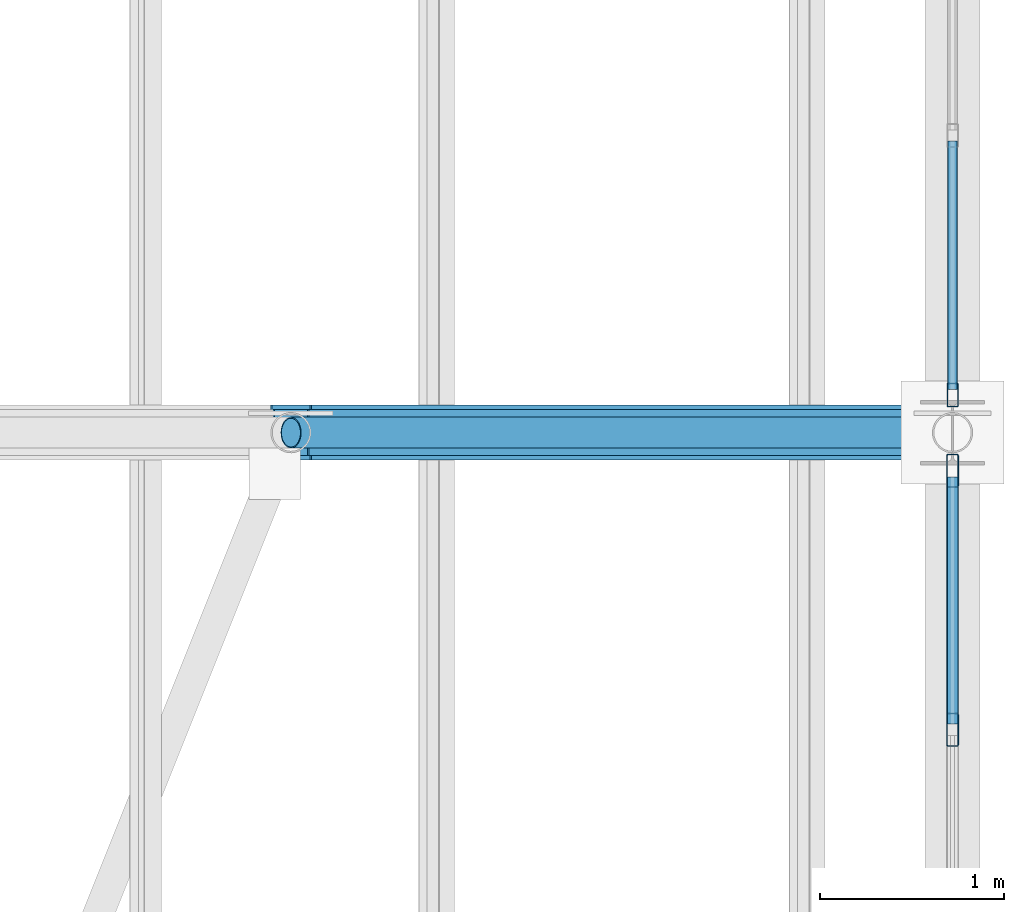
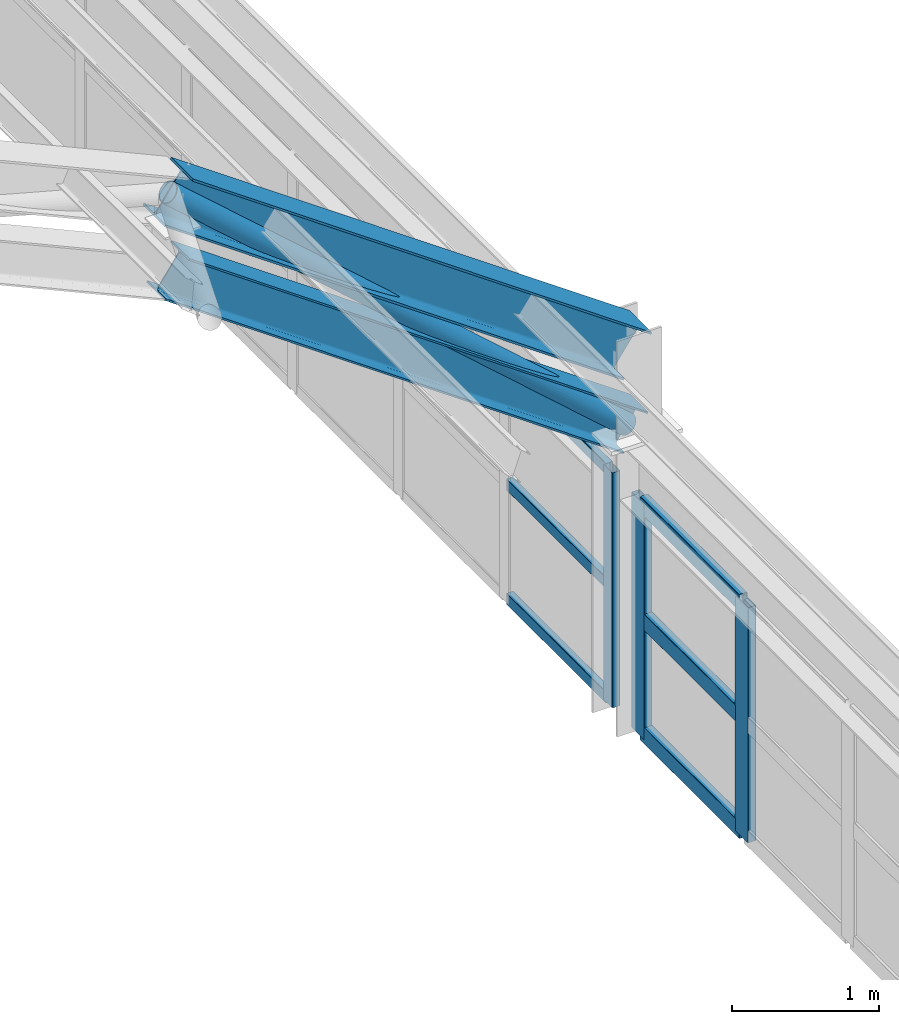
# One storey, part 77 of 121: 11 members, 1 beam, 2 elements without a shape of their own.
"""IFC4 building model written with IfcOpenShell, lengths in metres."""

from ifc_helpers import new_model, si_unit, direction, frame, origin, origin_2d, place, context, subcontext, project, spatial, hollow_rectangle, hollow_circle, i_section, extrude, material, material_profile, profile_set, type_object, element, aggregate, save


model = new_model("IFC4")

# Units and contexts
model_context = context("Model", 3, precision=1e-05, world=origin(), true_north=direction((0.0, 1.0)))
body_context = subcontext(model_context, "Body", "Model", "MODEL_VIEW")
ifc_project = project(units=[si_unit("LENGTHUNIT", "METRE"), si_unit("AREAUNIT", "SQUARE_METRE"), si_unit("VOLUMEUNIT", "CUBIC_METRE"), si_unit("PLANEANGLEUNIT", "RADIAN"), si_unit("MASSUNIT", "GRAM", prefix="KILO")], contexts=[model_context])

# Site, building, storey
site_placement = place(None, origin())
site = spatial("IfcSite", under=ifc_project, at=site_placement, CompositionType="ELEMENT")
building_placement = place(site_placement, origin())
building = spatial("IfcBuilding", under=site, at=building_placement, Name="Canglan Escarpment Cableway Terminal", CompositionType="ELEMENT")
storey_placement = place(building_placement, frame((0.0, 0.0, 24.60009765625)))
storey = spatial("IfcBuildingStorey", under=building, at=storey_placement, Name="L05", CompositionType="ELEMENT", Elevation=24.60009765625)

# Beam
ifc_material_1 = material(Name="Steel Q355B", Category="steel")
ifc_material_profile_1 = material_profile(ifc_material_1, i_section(OverallWidth=0.300048828125, OverallDepth=0.389892578125, WebThickness=0.010009765625, FlangeThickness=0.01611328125, FilletRadius=0.02197265625, at=origin_2d()), Name="HM 390x300x10x16")
ifc_profile_set_1 = profile_set([ifc_material_profile_1], Name="Steel Q355B")
beam_type = type_object("IfcBeamType", Name="BM-ARCH-TOP-HM390", PredefinedType="BEAM", material=ifc_profile_set_1)
beam_placement = place(storey_placement, frame((162.800048828125, 106.0, 5.616455078125), z_axis=(0.817731009495, 0.0, -0.575600552563), x_axis=(0.0, 1.0, 0.0)))
element("IfcBeam", 1, at=beam_placement, inside=storey, type_object=beam_type, Name="Vault ROOF TRUSS arch top chord AR-TC1", PredefinedType="BEAM", context=body_context, shape_type="SweptSolid", body=[
    extrude(i_section(OverallWidth=0.300048828125, OverallDepth=0.389892578125, WebThickness=0.010009765625, FlangeThickness=0.01611328125, FilletRadius=0.02197265625, at=origin_2d()), origin(), (0.0, 0.0, 1.0), 4.40234375),
])

# Curtain wall, member
ifc_material_2 = material(Name="Anodized bronze aluminium and Low-E double glazing", Category="aluminium")
curtain_wall_type = type_object("IfcCurtainWallType", Name="CW-BAY-8650x1950", PredefinedType="NOTDEFINED", material=ifc_material_2)
curtain_wall_1_placement = place(storey_placement, origin())
curtain_wall_1 = element("IfcCurtainWall", 2, at=curtain_wall_1_placement, inside=storey, type_object=curtain_wall_type, Name="Classical bay-between-piers glazed curtain wall CW-66", PredefinedType="NOTDEFINED")
ifc_material_3 = material(Name="Thermally broken anodized aluminium 6063-T6", Category="aluminium")
ifc_material_profile_2 = material_profile(ifc_material_3, hollow_rectangle(XDim=0.06005859375, YDim=0.1298828125, WallThickness=0.0029296875, InnerFilletRadius=0.0029296875, OuterFilletRadius=0.006103515625, at=origin_2d()), Name="ALU-MULL 60x130x3")
ifc_profile_set_2 = profile_set([ifc_material_profile_2], Name="Thermally broken anodized aluminium 6063-T6")
member_type_1 = type_object("IfcMemberType", Name="CWM-01", PredefinedType="MULLION", material=ifc_profile_set_2)
member_1_placement = place(storey_placement, frame((166.39990234375, 106.205078125, 0.0), z_axis=(0.0, 0.0, 1.0), x_axis=(-1.0, 0.0, 0.0)))
member_1 = element("IfcMember", 3, at=member_1_placement, type_object=member_type_1, Name="CW-66 mullion 1", PredefinedType="MULLION", context=body_context, shape_type="SweptSolid", body=[
    extrude(hollow_rectangle(XDim=0.06005859375, YDim=0.1298828125, WallThickness=0.0029296875, InnerFilletRadius=0.0029296875, OuterFilletRadius=0.006103515625, at=origin_2d()), origin(), (0.0, 0.0, 1.0), 1.949951171875),
])

# Curtain wall, members
curtain_wall_2_placement = place(storey_placement, origin())
curtain_wall_2 = element("IfcCurtainWall", 4, at=curtain_wall_2_placement, inside=storey, type_object=curtain_wall_type, Name="Classical bay-between-piers glazed curtain wall CW-66", PredefinedType="NOTDEFINED")
ifc_material_profile_3 = material_profile(ifc_material_3, hollow_rectangle(XDim=0.06494140625, YDim=0.179931640625, WallThickness=0.00390625, InnerFilletRadius=0.00390625, OuterFilletRadius=0.008056640625, at=origin_2d()), Name="ALU-MULL 65x180x4")
ifc_profile_set_3 = profile_set([ifc_material_profile_3], Name="Thermally broken anodized aluminium 6063-T6")
member_type_2 = type_object("IfcMemberType", Name="CWM-03", PredefinedType="MULLION", material=ifc_profile_set_3)
member_2_placement = place(storey_placement, frame((166.39990234375, 104.38330078125, 0.0), z_axis=(0.0, 0.0, 1.0), x_axis=(-1.0, 0.0, 0.0)))
member_2 = element("IfcMember", 5, at=member_2_placement, type_object=member_type_2, Name="CW-66 mullion 6", PredefinedType="MULLION", context=body_context, shape_type="SweptSolid", body=[
    extrude(hollow_rectangle(XDim=0.06494140625, YDim=0.179931640625, WallThickness=0.00390625, InnerFilletRadius=0.00390625, OuterFilletRadius=0.008056640625, at=origin_2d()), origin(), (0.0, 0.0, 1.0), 1.949951171875),
])
member_3_placement = place(storey_placement, frame((166.39990234375, 105.79248046875, 0.0), z_axis=(0.0, 0.0, 1.0), x_axis=(-1.0, 0.0, 0.0)))
member_3 = element("IfcMember", 6, at=member_3_placement, type_object=member_type_2, Name="CW-66 mullion 7", PredefinedType="MULLION", context=body_context, shape_type="SweptSolid", body=[
    extrude(hollow_rectangle(XDim=0.06494140625, YDim=0.179931640625, WallThickness=0.00390625, InnerFilletRadius=0.00390625, OuterFilletRadius=0.008056640625, at=origin_2d()), origin(), (0.0, 0.0, 1.0), 1.949951171875),
])

# Member
ifc_material_profile_4 = material_profile(ifc_material_3, hollow_rectangle(XDim=0.054931640625, YDim=0.094970703125, WallThickness=0.0029296875, InnerFilletRadius=0.0029296875, OuterFilletRadius=0.006103515625, at=origin_2d()), Name="ALU-TRAN 55x95x3")
ifc_profile_set_4 = profile_set([ifc_material_profile_4], Name="Thermally broken anodized aluminium 6063-T6")
member_type_3 = type_object("IfcMemberType", Name="CWT-01", PredefinedType="USERDEFINED", material=ifc_profile_set_4)
member_4_placement = place(storey_placement, frame((166.39990234375, 106.235107421875, 0.02734375), z_axis=(0.0, 1.0, 0.0), x_axis=(-1.0, 0.0, 0.0)))
member_4 = element("IfcMember", 7, at=member_4_placement, type_object=member_type_3, Name="CW-66 transom 1.1", ObjectType="TRANSOM", PredefinedType="USERDEFINED", context=body_context, shape_type="SweptSolid", body=[
    extrude(hollow_rectangle(XDim=0.054931640625, YDim=0.094970703125, WallThickness=0.0029296875, InnerFilletRadius=0.0029296875, OuterFilletRadius=0.006103515625, at=origin_2d()), origin(), (0.0, 0.0, 1.0), 1.3515625),
])

member_5_placement = place(storey_placement, frame((166.39990234375, 106.235107421875, 0.974853515625), z_axis=(0.0, 1.0, 0.0), x_axis=(-1.0, 0.0, 0.0)))
member_5 = element("IfcMember", 8, at=member_5_placement, type_object=member_type_3, Name="CW-66 transom 1.2", ObjectType="TRANSOM", PredefinedType="USERDEFINED", context=body_context, shape_type="SweptSolid", body=[
    extrude(hollow_rectangle(XDim=0.054931640625, YDim=0.094970703125, WallThickness=0.0029296875, InnerFilletRadius=0.0029296875, OuterFilletRadius=0.006103515625, at=origin_2d()), origin(), (0.0, 0.0, 1.0), 1.3515625),
])

member_6_placement = place(storey_placement, frame((166.39990234375, 106.235107421875, 1.92236328125), z_axis=(0.0, 1.0, 0.0), x_axis=(-1.0, 0.0, 0.0)))
member_6 = element("IfcMember", 9, at=member_6_placement, type_object=member_type_3, Name="CW-66 transom 1.3", ObjectType="TRANSOM", PredefinedType="USERDEFINED", context=body_context, shape_type="SweptSolid", body=[
    extrude(hollow_rectangle(XDim=0.054931640625, YDim=0.094970703125, WallThickness=0.0029296875, InnerFilletRadius=0.0029296875, OuterFilletRadius=0.006103515625, at=origin_2d()), origin(), (0.0, 0.0, 1.0), 1.3515625),
])

aggregate(curtain_wall_1, [member_1, member_4, member_5, member_6])

ifc_material_profile_5 = material_profile(ifc_material_3, hollow_rectangle(XDim=0.06494140625, YDim=0.139892578125, WallThickness=0.00341796875, InnerFilletRadius=0.00341796875, OuterFilletRadius=0.007080078125, at=origin_2d()), Name="ALU-TRAN 65x140x3.5")
ifc_profile_set_5 = profile_set([ifc_material_profile_5], Name="Thermally broken anodized aluminium 6063-T6")
member_type_4 = type_object("IfcMemberType", Name="CWT-03", PredefinedType="USERDEFINED", material=ifc_profile_set_5)
member_7_placement = place(storey_placement, frame((166.39990234375, 104.415771484375, 0.032470703125), z_axis=(0.0, 1.0, 0.0), x_axis=(-1.0, 0.0, 0.0)))
member_7 = element("IfcMember", 10, at=member_7_placement, type_object=member_type_4, Name="CW-66 transom 6.1", ObjectType="TRANSOM", PredefinedType="USERDEFINED", context=body_context, shape_type="SweptSolid", body=[
    extrude(hollow_rectangle(XDim=0.06494140625, YDim=0.139892578125, WallThickness=0.00341796875, InnerFilletRadius=0.00341796875, OuterFilletRadius=0.007080078125, at=origin_2d()), origin(), (0.0, 0.0, 1.0), 1.34423828125),
])

member_8_placement = place(storey_placement, frame((166.39990234375, 104.415771484375, 0.974853515625), z_axis=(0.0, 1.0, 0.0), x_axis=(-1.0, 0.0, 0.0)))
member_8 = element("IfcMember", 11, at=member_8_placement, type_object=member_type_4, Name="CW-66 transom 6.2", ObjectType="TRANSOM", PredefinedType="USERDEFINED", context=body_context, shape_type="SweptSolid", body=[
    extrude(hollow_rectangle(XDim=0.06494140625, YDim=0.139892578125, WallThickness=0.00341796875, InnerFilletRadius=0.00341796875, OuterFilletRadius=0.007080078125, at=origin_2d()), origin(), (0.0, 0.0, 1.0), 1.34423828125),
])

member_9_placement = place(storey_placement, frame((166.39990234375, 104.415771484375, 1.91748046875), z_axis=(0.0, 1.0, 0.0), x_axis=(-1.0, 0.0, 0.0)))
member_9 = element("IfcMember", 12, at=member_9_placement, type_object=member_type_4, Name="CW-66 transom 6.3", ObjectType="TRANSOM", PredefinedType="USERDEFINED", context=body_context, shape_type="SweptSolid", body=[
    extrude(hollow_rectangle(XDim=0.06494140625, YDim=0.139892578125, WallThickness=0.00341796875, InnerFilletRadius=0.00341796875, OuterFilletRadius=0.007080078125, at=origin_2d()), origin(), (0.0, 0.0, 1.0), 1.34423828125),
])

aggregate(curtain_wall_2, [member_2, member_3, member_7, member_8, member_9])

# Members
ifc_material_profile_6 = material_profile(ifc_material_1, i_section(OverallWidth=0.25, OverallDepth=0.340087890625, WebThickness=0.009033203125, FlangeThickness=0.013916015625, FilletRadius=0.02001953125, at=origin_2d()), Name="HM 340x250x9x14")
ifc_profile_set_6 = profile_set([ifc_material_profile_6], Name="Steel Q355B")
member_type_5 = type_object("IfcMemberType", Name="MB-ARCH-BOT-HM340", PredefinedType="CHORD", material=ifc_profile_set_6)
member_10_placement = place(storey_placement, frame((162.800048828125, 106.0, 4.966552734375), z_axis=(0.81770490607, 0.0, -0.575637634792), x_axis=(0.0, 1.0, 0.0)))
element("IfcMember", 13, at=member_10_placement, inside=storey, type_object=member_type_5, Name="Vault ROOF TRUSS arch bottom chord AR-BC1", PredefinedType="CHORD", context=body_context, shape_type="SweptSolid", body=[
    extrude(i_section(OverallWidth=0.25, OverallDepth=0.340087890625, WebThickness=0.009033203125, FlangeThickness=0.013916015625, FilletRadius=0.02001953125, at=origin_2d()), origin(), (0.0, 0.0, 1.0), 4.40234375),
])
ifc_material_profile_7 = material_profile(ifc_material_1, hollow_circle(Radius=0.084228515625, WallThickness=0.006103515625, at=origin_2d()), Name="CHS 168.3x6")
ifc_profile_set_7 = profile_set([ifc_material_profile_7], Name="Steel Q355B")
member_type_6 = type_object("IfcMemberType", Name="MB-ARCH-DIAG-CHS168", PredefinedType="BRACE", material=ifc_profile_set_7)
member_11_placement = place(storey_placement, frame((162.800048828125, 106.0, 5.616455078125), z_axis=(0.749038254518, 0.0, -0.662526749096), x_axis=(0.0, 1.0, 0.0)))
element("IfcMember", 14, at=member_11_placement, inside=storey, type_object=member_type_6, Name="Vault ROOF TRUSS web diagonal AR-DG1", PredefinedType="BRACE", context=body_context, shape_type="SweptSolid", body=[
    extrude(hollow_circle(Radius=0.084228515625, WallThickness=0.006103515625, at=origin_2d()), origin(), (0.0, 0.0, 1.0), 4.805908203125),
])

save(model, "model.ifc")
